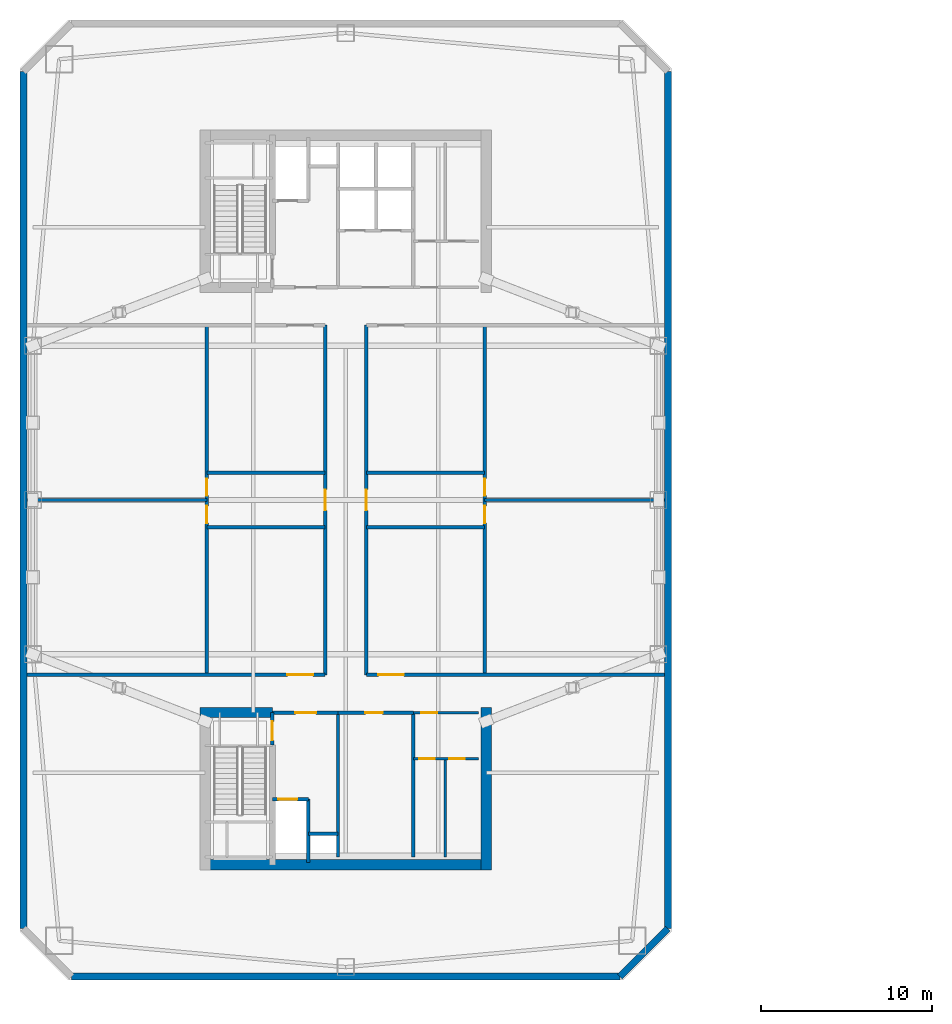
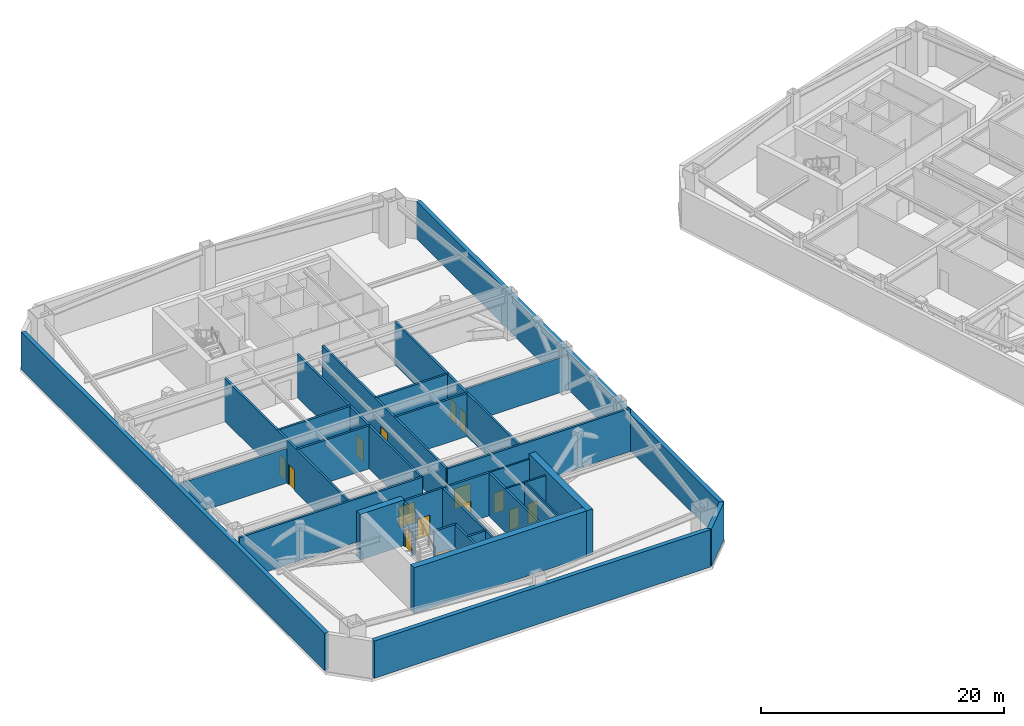
# One storey, part 7 of 14: 30 walls, 15 doors, 15 openings.
"""IFC4 building model written with IfcOpenShell, lengths in metres."""

from ifc_helpers import new_model, si_unit, direction, frame, frame_2d, origin, place, context, subcontext, project, spatial, rectangle, extrude, material, layer, layer_set, type_object, element, fill, save


model = new_model("IFC4")

# Units and contexts
model_context = context("Model", 3, precision=1e-05, world=origin(), true_north=direction((0.0, 1.0)))
body_context = subcontext(model_context, "Body", "Model", "MODEL_VIEW")
ifc_project = project(units=[si_unit("LENGTHUNIT", "METRE"), si_unit("AREAUNIT", "SQUARE_METRE"), si_unit("VOLUMEUNIT", "CUBIC_METRE"), si_unit("PLANEANGLEUNIT", "RADIAN"), si_unit("MASSUNIT", "GRAM", prefix="KILO")], contexts=[model_context])

# Site, building, storey
site_placement = place(None, origin())
site = spatial("IfcSite", under=ifc_project, at=site_placement, CompositionType="ELEMENT")
building_placement = place(site_placement, origin())
building = spatial("IfcBuilding", under=site, at=building_placement, Name="Qiaolan Cultural Towers", CompositionType="ELEMENT")
storey_placement = place(building_placement, frame((0.0, 0.0, 138.0)))
storey = spatial("IfcBuildingStorey", under=building, at=storey_placement, Name="L36", CompositionType="ELEMENT", Elevation=138.0)

# Walls
ifc_material_1 = material(Name="Concrete C55", Category="concrete")
ifc_layer_1 = layer(ifc_material_1, 0.60009765625)
ifc_layer_set_1 = layer_set([ifc_layer_1], Name="Concrete C55")
wall_type_1 = type_object("IfcWallType", Name="WL-CORE-600", PredefinedType="SHEAR", material=ifc_layer_set_1)
wall_1_placement = place(storey_placement, frame((21.5, 12.719970703125, 0.0), z_axis=(0.0, 0.0, 1.0), x_axis=(1.0, 0.0, 0.0)))
element("IfcWall", 1, at=wall_1_placement, inside=storey, type_object=wall_type_1, Name="L36 T1-CS Outer Core Shear Wall", PredefinedType="SHEAR", context=body_context, shape_type="SweptSolid", body=[
    extrude(rectangle(XDim=17.0, YDim=0.60009765625, at=frame_2d((8.5, 0.0))), origin(), (0.0, 0.0, 1.0), 4.60009765625),
])
wall_2_placement = place(storey_placement, frame((38.199951171875, 21.89990234375, 0.0), z_axis=(0.0, 0.0, 1.0), x_axis=(0.0, -1.0, 0.0)))
element("IfcWall", 2, at=wall_2_placement, inside=storey, type_object=wall_type_1, Name="L36 T1-CS East Core Shear Wall", PredefinedType="SHEAR", context=body_context, shape_type="SweptSolid", body=[
    extrude(rectangle(XDim=9.47998046875, YDim=0.60009765625, at=frame_2d((4.739990234375, 0.0))), origin(), (0.0, 0.0, 1.0), 4.60009765625),
])
wall_3_placement = place(storey_placement, frame((21.5, 21.60009765625, 0.0), z_axis=(0.0, 0.0, 1.0), x_axis=(1.0, 0.0, 0.0)))
element("IfcWall", 3, at=wall_3_placement, inside=storey, type_object=wall_type_1, Name="L36 T1-CS Stair Front Shear Wall", PredefinedType="SHEAR", context=body_context, shape_type="SweptSolid", body=[
    extrude(rectangle(XDim=4.219970703125, YDim=0.60009765625, at=frame_2d((2.10986328125, 0.0))), origin(), (0.0, 0.0, 1.0), 4.60009765625),
])
ifc_material_2 = material(Name="Precast Concrete C50 Honed Stone Pier", Category="masonry")
ifc_layer_2 = layer(ifc_material_2, 0.39990234375)
ifc_layer_set_2 = layer_set([ifc_layer_2], Name="Precast Concrete C50 Honed Stone Pier")
wall_type_2 = type_object("IfcWallType", Name="WL-EXT-PIER-400", PredefinedType="SOLIDWALL", material=ifc_layer_set_2)
for number, where, z_axis, x_axis, name in (
    (4, (11.199951171875, 9.0, 0.0), (0.0, 0.0, 1.0), (0.0, 1.0, 0.0), "L36 West Tower Precast Pier Facade Wall F1"),
    (5, (48.800048828125, 59.0, 0.0), (0.0, 0.0, 1.0), (0.0, -1.0, 0.0), "L36 West Tower Precast Pier Facade Wall F5"),
):
    element("IfcWall", number, at=place(storey_placement, frame(where, z_axis=z_axis, x_axis=x_axis)), inside=storey, type_object=wall_type_2, Name=name, PredefinedType="SOLIDWALL", context=body_context, shape_type="SweptSolid", body=[
        extrude(rectangle(XDim=50.0, YDim=0.39990234375, at=frame_2d((25.0, 0.0))), origin(), (0.0, 0.0, 1.0), 3.760009765625),
    ])
wall_4_placement = place(storey_placement, frame((48.800048828125, 9.0, 0.0), z_axis=(0.0, 0.0, 1.0), x_axis=(-0.707106781187, -0.707106781187, 0.0)))
element("IfcWall", 6, at=wall_4_placement, inside=storey, type_object=wall_type_2, Name="L36 West Tower Precast Pier Facade Wall F6", PredefinedType="SOLIDWALL", context=body_context, shape_type="SweptSolid", body=[
    extrude(rectangle(XDim=3.9599609375, YDim=0.39990234375, at=frame_2d((1.97998046875, 0.0))), origin(), (0.0, 0.0, 1.0), 3.760009765625),
])
wall_5_placement = place(storey_placement, frame((46.0, 6.199951171875, 0.0), z_axis=(0.0, 0.0, 1.0), x_axis=(-1.0, 0.0, 0.0)))
element("IfcWall", 7, at=wall_5_placement, inside=storey, type_object=wall_type_2, Name="L36 West Tower Precast Pier Facade Wall F7", PredefinedType="SOLIDWALL", context=body_context, shape_type="SweptSolid", body=[
    extrude(rectangle(XDim=32.0, YDim=0.39990234375, at=frame_2d((16.0, 0.0))), origin(), (0.0, 0.0, 1.0), 3.760009765625),
])

# Wall, opening, door
ifc_material_3 = material(Name="Concrete C35 Fire Wall", Category="concrete")
ifc_layer_3 = layer(ifc_material_3, 0.199951171875)
ifc_layer_set_3 = layer_set([ifc_layer_3], Name="Concrete C35 Fire Wall")
wall_type_3 = type_object("IfcWallType", Name="WL-FIRE-200", PredefinedType="PARTITIONING", material=ifc_layer_set_3)
wall_6_placement = place(storey_placement, frame((25.719970703125, 21.60009765625, 0.0), z_axis=(0.0, 0.0, 1.0), x_axis=(0.0, -1.0, 0.0)))
wall_6 = element("IfcWall", 8, at=wall_6_placement, inside=storey, type_object=wall_type_3, Name="L36 T1-CS Smokeproof Stair Entry Wall", PredefinedType="PARTITIONING", context=body_context, shape_type="SweptSolid", body=[
    extrude(rectangle(XDim=1.900146484375, YDim=0.199951171875, at=frame_2d((0.9501953125, 0.0))), origin(), (0.0, 0.0, 1.0), 4.324951171875),
])
opening_1_placement = place(wall_6_placement, frame((0.52001953125, 0.0, 0.0)))
opening_1 = element("IfcOpeningElement", 9, at=opening_1_placement, cuts=wall_6, Name="Opening FD-04", PredefinedType="OPENING", context=body_context, shape_type="SweptSolid", body=[
    extrude(rectangle(XDim=1.10009765625, YDim=2.050048828125, at=frame_2d((0.550048828125, 1.02490234375))), frame((0.0, 0.10986328125, 0.0), z_axis=(0.0, -1.0, 0.0), x_axis=(1.0, 0.0, 0.0)), (0.0, 0.0, 1.0), 0.219970703125),
])
ifc_material_4 = material(Name="Galvanized Steel Command Fire Door", Category="steel")
door_type_1 = type_object("IfcDoorType", Name="DR-FD90-1100", OperationType="NOTDEFINED", PredefinedType="DOOR", material=ifc_material_4)
door_1_placement = place(opening_1_placement, origin())
door_1 = element("IfcDoor", 10, at=door_1_placement, inside=storey, type_object=door_type_1, Name="L36 ST-W1 Smokeproof Stair Fire Door", OperationType="SINGLE_SWING_LEFT", OverallHeight=2.050048828125, OverallWidth=1.10009765625, PredefinedType="DOOR", context=body_context, shape_type="SweptSolid", body=[
    extrude(rectangle(XDim=1.10009765625, YDim=2.050048828125, at=frame_2d((0.550048828125, 1.02490234375))), frame((0.0, 0.02490234375, 0.0), z_axis=(0.0, -1.0, 0.0), x_axis=(1.0, 0.0, 0.0)), (0.0, 0.0, 1.0), 0.050048828125),
])
fill(opening_1, door_1)

# Wall
wall_7_placement = place(storey_placement, frame((29.550048828125, 21.60009765625, 0.0), z_axis=(0.0, 0.0, 1.0), x_axis=(0.0, -1.0, 0.0)))
element("IfcWall", 11, at=wall_7_placement, inside=storey, type_object=wall_type_3, Name="L36 T1-CS Firefighting Zone Wall", PredefinedType="PARTITIONING", context=body_context, shape_type="SweptSolid", body=[
    extrude(rectangle(XDim=8.43017578125, YDim=0.199951171875, at=frame_2d((4.215087890625, 0.0))), origin(), (0.0, 0.0, 1.0), 4.324951171875),
])

# Wall, opening, door
wall_8_placement = place(storey_placement, frame((25.719970703125, 21.60009765625, 0.0), z_axis=(0.0, 0.0, 1.0), x_axis=(1.0, 0.0, 0.0)))
wall_8 = element("IfcWall", 12, at=wall_8_placement, inside=storey, type_object=wall_type_3, Name="L36 T1-CS Firefighting Lobby Front Wall", PredefinedType="PARTITIONING", context=body_context, shape_type="SweptSolid", body=[
    extrude(rectangle(XDim=3.830078125, YDim=0.199951171875, at=frame_2d((1.9150390625, 0.0))), origin(), (0.0, 0.0, 1.0), 4.324951171875),
])
opening_2_placement = place(wall_8_placement, frame((1.35009765625, 0.0, 0.0)))
opening_2 = element("IfcOpeningElement", 13, at=opening_2_placement, cuts=wall_8, Name="Opening FD-03", PredefinedType="OPENING", context=body_context, shape_type="SweptSolid", body=[
    extrude(rectangle(XDim=1.199951171875, YDim=2.050048828125, at=frame_2d((0.60009765625, 1.02490234375))), frame((0.0, 0.10986328125, 0.0), z_axis=(0.0, -1.0, 0.0), x_axis=(1.0, 0.0, 0.0)), (0.0, 0.0, 1.0), 0.219970703125),
])
ifc_material_5 = material(Name="Galvanized Steel Smokeproof Lobby Fire Door", Category="steel")
door_type_2 = type_object("IfcDoorType", Name="DR-FD90-1200", OperationType="NOTDEFINED", PredefinedType="DOOR", material=ifc_material_5)
door_2_placement = place(opening_2_placement, origin())
door_2 = element("IfcDoor", 14, at=door_2_placement, inside=storey, type_object=door_type_2, Name="L36 FFL-W1 Firefighting Lobby Fire Door", OperationType="SINGLE_SWING_LEFT", OverallHeight=2.050048828125, OverallWidth=1.199951171875, PredefinedType="DOOR", context=body_context, shape_type="SweptSolid", body=[
    extrude(rectangle(XDim=1.199951171875, YDim=2.050048828125, at=frame_2d((0.60009765625, 1.02490234375))), frame((0.0, 0.02490234375, 0.0), z_axis=(0.0, -1.0, 0.0), x_axis=(1.0, 0.0, 0.0)), (0.0, 0.0, 1.0), 0.050048828125),
])
fill(opening_2, door_2)

wall_9_placement = place(storey_placement, frame((25.719970703125, 16.550048828125, 0.0), z_axis=(0.0, 0.0, 1.0), x_axis=(1.0, 0.0, 0.0)))
wall_9 = element("IfcWall", 15, at=wall_9_placement, inside=storey, type_object=wall_type_3, Name="L36 T1-CS Firefighting Shaft Front Wall", PredefinedType="PARTITIONING", context=body_context, shape_type="SweptSolid", body=[
    extrude(rectangle(XDim=2.10009765625, YDim=0.199951171875, at=frame_2d((1.050048828125, 0.0))), origin(), (0.0, 0.0, 1.0), 4.324951171875),
])
opening_3_placement = place(wall_9_placement, frame((0.35009765625, 0.0, 0.0)))
opening_3 = element("IfcOpeningElement", 16, at=opening_3_placement, cuts=wall_9, Name="Opening LD-01", PredefinedType="OPENING", context=body_context, shape_type="SweptSolid", body=[
    extrude(rectangle(XDim=1.10009765625, YDim=2.050048828125, at=frame_2d((0.550048828125, 1.02490234375))), frame((0.0, 0.10986328125, 0.0), z_axis=(0.0, -1.0, 0.0), x_axis=(1.0, 0.0, 0.0)), (0.0, 0.0, 1.0), 0.219970703125),
])
ifc_material_6 = material(Name="Brushed Stainless Steel S30408 Centre-Parting Lift Landing Door", Category="steel")
door_type_3 = type_object("IfcDoorType", Name="DR-LIFT-1100", OperationType="NOTDEFINED", PredefinedType="DOOR", material=ifc_material_6)
door_3_placement = place(opening_3_placement, origin())
door_3 = element("IfcDoor", 17, at=door_3_placement, inside=storey, type_object=door_type_3, Name="L36 FFL-W1 Firefighting Lift Landing Door", OperationType="DOUBLE_DOOR_SLIDING", OverallHeight=2.050048828125, OverallWidth=1.10009765625, PredefinedType="DOOR", context=body_context, shape_type="SweptSolid", body=[
    extrude(rectangle(XDim=1.10009765625, YDim=2.050048828125, at=frame_2d((0.550048828125, 1.02490234375))), frame((0.0, 0.02490234375, 0.0), z_axis=(0.0, -1.0, 0.0), x_axis=(1.0, 0.0, 0.0)), (0.0, 0.0, 1.0), 0.050048828125),
])
fill(opening_3, door_3)

# Walls
wall_10_placement = place(storey_placement, frame((27.820068359375, 16.550048828125, 0.0), z_axis=(0.0, 0.0, 1.0), x_axis=(0.0, -1.0, 0.0)))
element("IfcWall", 18, at=wall_10_placement, inside=storey, type_object=wall_type_3, Name="L36 T1-CS Firefighting Hoistway East Wall", PredefinedType="PARTITIONING", context=body_context, shape_type="SweptSolid", body=[
    extrude(rectangle(XDim=3.699951171875, YDim=0.199951171875, at=frame_2d((1.85009765625, 0.0))), origin(), (0.0, 0.0, 1.0), 4.324951171875),
])
wall_11_placement = place(storey_placement, frame((27.820068359375, 14.52001953125, 0.0), z_axis=(0.0, 0.0, 1.0), x_axis=(1.0, 0.0, 0.0)))
element("IfcWall", 19, at=wall_11_placement, inside=storey, type_object=wall_type_3, Name="L36 T1-CS Pressurization Shaft Front Wall", PredefinedType="PARTITIONING", context=body_context, shape_type="SweptSolid", body=[
    extrude(rectangle(XDim=1.72998046875, YDim=0.199951171875, at=frame_2d((0.864990234375, 0.0))), origin(), (0.0, 0.0, 1.0), 4.324951171875),
])
wall_12_placement = place(storey_placement, frame((33.949951171875, 21.60009765625, 0.0), z_axis=(0.0, 0.0, 1.0), x_axis=(0.0, -1.0, 0.0)))
element("IfcWall", 20, at=wall_12_placement, inside=storey, type_object=wall_type_3, Name="L36 T1-CS Lift Core East Wall", PredefinedType="PARTITIONING", context=body_context, shape_type="SweptSolid", body=[
    extrude(rectangle(XDim=8.43017578125, YDim=0.199951171875, at=frame_2d((4.215087890625, 0.0))), origin(), (0.0, 0.0, 1.0), 4.324951171875),
])

# Wall, opening, door
wall_13_placement = place(storey_placement, frame((29.550048828125, 21.60009765625, 0.0), z_axis=(0.0, 0.0, 1.0), x_axis=(1.0, 0.0, 0.0)))
wall_13 = element("IfcWall", 21, at=wall_13_placement, inside=storey, type_object=wall_type_3, Name="L36 T1-CS Refuge Core Riser Wall", PredefinedType="PARTITIONING", context=body_context, shape_type="SweptSolid", body=[
    extrude(rectangle(XDim=4.39990234375, YDim=0.199951171875, at=frame_2d((2.199951171875, 0.0))), origin(), (0.0, 0.0, 1.0), 4.324951171875),
])
opening_4_placement = place(wall_13_placement, frame((1.60009765625, 0.0, 0.0)))
opening_4 = element("IfcOpeningElement", 22, at=opening_4_placement, cuts=wall_13, Name="Opening FD-07", PredefinedType="OPENING", context=body_context, shape_type="SweptSolid", body=[
    extrude(rectangle(XDim=1.0, YDim=2.050048828125, at=frame_2d((0.5, 1.02490234375))), frame((0.0, 0.10986328125, 0.0), z_axis=(0.0, -1.0, 0.0), x_axis=(1.0, 0.0, 0.0)), (0.0, 0.0, 1.0), 0.219970703125),
])
ifc_material_7 = material(Name="Painted Steel Riser Fire Door", Category="steel")
door_type_4 = type_object("IfcDoorType", Name="DR-FD60-1000", OperationType="NOTDEFINED", PredefinedType="DOOR", material=ifc_material_7)
door_4_placement = place(opening_4_placement, origin())
door_4 = element("IfcDoor", 23, at=door_4_placement, inside=storey, type_object=door_type_4, Name="L36 Core Plant Room Door", OperationType="SINGLE_SWING_LEFT", OverallHeight=2.050048828125, OverallWidth=1.0, PredefinedType="DOOR", context=body_context, shape_type="SweptSolid", body=[
    extrude(rectangle(XDim=1.0, YDim=2.050048828125, at=frame_2d((0.5, 1.02490234375))), frame((0.0, 0.02490234375, 0.0), z_axis=(0.0, -1.0, 0.0), x_axis=(1.0, 0.0, 0.0)), (0.0, 0.0, 1.0), 0.050048828125),
])
fill(opening_4, door_4)

wall_14_placement = place(storey_placement, frame((11.39990234375, 23.800048828125, 0.0), z_axis=(0.0, 0.0, 1.0), x_axis=(1.0, 0.0, 0.0)))
wall_14 = element("IfcWall", 24, at=wall_14_placement, inside=storey, type_object=wall_type_3, Name="L36 T1 Fire Rated Plant/Refuge Wall SBW", PredefinedType="PARTITIONING", context=body_context, shape_type="SweptSolid", body=[
    extrude(rectangle(XDim=17.400146484375, YDim=0.199951171875, at=frame_2d((8.7001953125, 0.0))), origin(), (0.0, 0.0, 1.0), 4.324951171875),
])
opening_5_placement = place(wall_14_placement, frame((15.199951171875, 0.0, 0.0)))
opening_5 = element("IfcOpeningElement", 25, at=opening_5_placement, cuts=wall_14, Name="Opening FD-02", PredefinedType="OPENING", context=body_context, shape_type="SweptSolid", body=[
    extrude(rectangle(XDim=1.5, YDim=2.050048828125, at=frame_2d((0.75, 1.02490234375))), frame((0.0, 0.10986328125, 0.0), z_axis=(0.0, -1.0, 0.0), x_axis=(1.0, 0.0, 0.0)), (0.0, 0.0, 1.0), 0.219970703125),
])
ifc_material_8 = material(Name="Galvanized Steel Double Fire Door", Category="steel")
door_type_5 = type_object("IfcDoorType", Name="DR-FD90-1500", OperationType="NOTDEFINED", PredefinedType="DOOR", material=ifc_material_8)
door_5_placement = place(opening_5_placement, origin())
door_5 = element("IfcDoor", 26, at=door_5_placement, inside=storey, type_object=door_type_5, Name="L36 T1 West South Refuge Fire Door", OperationType="SINGLE_SWING_LEFT", OverallHeight=2.050048828125, OverallWidth=1.5, PredefinedType="DOOR", context=body_context, shape_type="SweptSolid", body=[
    extrude(rectangle(XDim=1.5, YDim=2.050048828125, at=frame_2d((0.75, 1.02490234375))), frame((0.0, 0.02490234375, 0.0), z_axis=(0.0, -1.0, 0.0), x_axis=(1.0, 0.0, 0.0)), (0.0, 0.0, 1.0), 0.050048828125),
])
fill(opening_5, door_5)

wall_15_placement = place(storey_placement, frame((31.199951171875, 23.800048828125, 0.0), z_axis=(0.0, 0.0, 1.0), x_axis=(1.0, 0.0, 0.0)))
wall_15 = element("IfcWall", 27, at=wall_15_placement, inside=storey, type_object=wall_type_3, Name="L36 T1 Fire Rated Plant/Refuge Wall SBE", PredefinedType="PARTITIONING", context=body_context, shape_type="SweptSolid", body=[
    extrude(rectangle(XDim=17.400146484375, YDim=0.199951171875, at=frame_2d((8.7001953125, 0.0))), origin(), (0.0, 0.0, 1.0), 4.324951171875),
])
opening_6_placement = place(wall_15_placement, frame((0.699951171875, 0.0, 0.0)))
opening_6 = element("IfcOpeningElement", 28, at=opening_6_placement, cuts=wall_15, Name="Opening FD-02", PredefinedType="OPENING", context=body_context, shape_type="SweptSolid", body=[
    extrude(rectangle(XDim=1.5, YDim=2.050048828125, at=frame_2d((0.75, 1.02490234375))), frame((0.0, 0.10986328125, 0.0), z_axis=(0.0, -1.0, 0.0), x_axis=(1.0, 0.0, 0.0)), (0.0, 0.0, 1.0), 0.219970703125),
])
door_6_placement = place(opening_6_placement, origin())
door_6 = element("IfcDoor", 29, at=door_6_placement, inside=storey, type_object=door_type_5, Name="L36 T1 East South Refuge Fire Door", OperationType="SINGLE_SWING_RIGHT", OverallHeight=2.050048828125, OverallWidth=1.5, PredefinedType="DOOR", context=body_context, shape_type="SweptSolid", body=[
    extrude(rectangle(XDim=1.5, YDim=2.050048828125, at=frame_2d((0.75, 1.02490234375))), frame((0.0, 0.02490234375, 0.0), z_axis=(0.0, -1.0, 0.0), x_axis=(1.0, 0.0, 0.0)), (0.0, 0.0, 1.0), 0.050048828125),
])
fill(opening_6, door_6)

wall_16_placement = place(storey_placement, frame((28.800048828125, 23.800048828125, 0.0), z_axis=(0.0, 0.0, 1.0), x_axis=(0.0, 1.0, 0.0)))
wall_16 = element("IfcWall", 30, at=wall_16_placement, inside=storey, type_object=wall_type_3, Name="L36 T1 Fire Rated Plant/Refuge Wall CL", PredefinedType="PARTITIONING", context=body_context, shape_type="SweptSolid", body=[
    extrude(rectangle(XDim=20.39990234375, YDim=0.199951171875, at=frame_2d((10.199951171875, 0.0))), origin(), (0.0, 0.0, 1.0), 4.324951171875),
])
opening_7_placement = place(wall_16_placement, frame((9.60009765625, 0.0, 0.0)))
opening_7 = element("IfcOpeningElement", 31, at=opening_7_placement, cuts=wall_16, Name="Opening FD-03", PredefinedType="OPENING", context=body_context, shape_type="SweptSolid", body=[
    extrude(rectangle(XDim=1.199951171875, YDim=2.050048828125, at=frame_2d((0.60009765625, 1.02490234375))), frame((0.0, 0.10986328125, 0.0), z_axis=(0.0, -1.0, 0.0), x_axis=(1.0, 0.0, 0.0)), (0.0, 0.0, 1.0), 0.219970703125),
])
door_7_placement = place(opening_7_placement, origin())
door_7 = element("IfcDoor", 32, at=door_7_placement, inside=storey, type_object=door_type_2, Name="L36 T1 West Plant Passage Door", OperationType="SINGLE_SWING_LEFT", OverallHeight=2.050048828125, OverallWidth=1.199951171875, PredefinedType="DOOR", context=body_context, shape_type="SweptSolid", body=[
    extrude(rectangle(XDim=1.199951171875, YDim=2.050048828125, at=frame_2d((0.60009765625, 1.02490234375))), frame((0.0, 0.02490234375, 0.0), z_axis=(0.0, -1.0, 0.0), x_axis=(1.0, 0.0, 0.0)), (0.0, 0.0, 1.0), 0.050048828125),
])
fill(opening_7, door_7)

wall_17_placement = place(storey_placement, frame((31.199951171875, 23.800048828125, 0.0), z_axis=(0.0, 0.0, 1.0), x_axis=(0.0, 1.0, 0.0)))
wall_17 = element("IfcWall", 33, at=wall_17_placement, inside=storey, type_object=wall_type_3, Name="L36 T1 Fire Rated Plant/Refuge Wall CR", PredefinedType="PARTITIONING", context=body_context, shape_type="SweptSolid", body=[
    extrude(rectangle(XDim=20.39990234375, YDim=0.199951171875, at=frame_2d((10.199951171875, 0.0))), origin(), (0.0, 0.0, 1.0), 4.324951171875),
])
opening_8_placement = place(wall_17_placement, frame((9.60009765625, 0.0, 0.0)))
opening_8 = element("IfcOpeningElement", 34, at=opening_8_placement, cuts=wall_17, Name="Opening FD-03", PredefinedType="OPENING", context=body_context, shape_type="SweptSolid", body=[
    extrude(rectangle(XDim=1.199951171875, YDim=2.050048828125, at=frame_2d((0.60009765625, 1.02490234375))), frame((0.0, 0.10986328125, 0.0), z_axis=(0.0, -1.0, 0.0), x_axis=(1.0, 0.0, 0.0)), (0.0, 0.0, 1.0), 0.219970703125),
])
door_8_placement = place(opening_8_placement, origin())
door_8 = element("IfcDoor", 35, at=door_8_placement, inside=storey, type_object=door_type_2, Name="L36 T1 East Plant Passage Door", OperationType="SINGLE_SWING_RIGHT", OverallHeight=2.050048828125, OverallWidth=1.199951171875, PredefinedType="DOOR", context=body_context, shape_type="SweptSolid", body=[
    extrude(rectangle(XDim=1.199951171875, YDim=2.050048828125, at=frame_2d((0.60009765625, 1.02490234375))), frame((0.0, 0.02490234375, 0.0), z_axis=(0.0, -1.0, 0.0), x_axis=(1.0, 0.0, 0.0)), (0.0, 0.0, 1.0), 0.050048828125),
])
fill(opening_8, door_8)

# Wall, openings, doors
wall_18_placement = place(storey_placement, frame((21.89990234375, 23.800048828125, 0.0), z_axis=(0.0, 0.0, 1.0), x_axis=(0.0, 1.0, 0.0)))
wall_18 = element("IfcWall", 36, at=wall_18_placement, inside=storey, type_object=wall_type_3, Name="L36 T1 Fire Rated Plant/Refuge Wall WL", PredefinedType="PARTITIONING", context=body_context, shape_type="SweptSolid", body=[
    extrude(rectangle(XDim=20.39990234375, YDim=0.199951171875, at=frame_2d((10.199951171875, 0.0))), origin(), (0.0, 0.0, 1.0), 4.324951171875),
])
opening_9_placement = place(wall_18_placement, frame((8.85009765625, 0.0, 0.0)))
opening_9 = element("IfcOpeningElement", 37, at=opening_9_placement, cuts=wall_18, Name="Opening FD-07", PredefinedType="OPENING", context=body_context, shape_type="SweptSolid", body=[
    extrude(rectangle(XDim=1.0, YDim=2.050048828125, at=frame_2d((0.5, 1.02490234375))), frame((0.0, 0.10986328125, 0.0), z_axis=(0.0, -1.0, 0.0), x_axis=(1.0, 0.0, 0.0)), (0.0, 0.0, 1.0), 0.219970703125),
])
opening_10_placement = place(wall_18_placement, frame((10.449951171875, 0.0, 0.0)))
opening_10 = element("IfcOpeningElement", 38, at=opening_10_placement, cuts=wall_18, Name="Opening FD-07", PredefinedType="OPENING", context=body_context, shape_type="SweptSolid", body=[
    extrude(rectangle(XDim=1.0, YDim=2.050048828125, at=frame_2d((0.5, 1.02490234375))), frame((0.0, 0.10986328125, 0.0), z_axis=(0.0, -1.0, 0.0), x_axis=(1.0, 0.0, 0.0)), (0.0, 0.0, 1.0), 0.219970703125),
])
door_9_placement = place(opening_9_placement, origin())
door_9 = element("IfcDoor", 39, at=door_9_placement, inside=storey, type_object=door_type_4, Name="L36 T1 West Chiller Plant Door", OperationType="SINGLE_SWING_LEFT", OverallHeight=2.050048828125, OverallWidth=1.0, PredefinedType="DOOR", context=body_context, shape_type="SweptSolid", body=[
    extrude(rectangle(XDim=1.0, YDim=2.050048828125, at=frame_2d((0.5, 1.02490234375))), frame((0.0, 0.02490234375, 0.0), z_axis=(0.0, -1.0, 0.0), x_axis=(1.0, 0.0, 0.0)), (0.0, 0.0, 1.0), 0.050048828125),
])
fill(opening_9, door_9)
door_10_placement = place(opening_10_placement, origin())
door_10 = element("IfcDoor", 40, at=door_10_placement, inside=storey, type_object=door_type_4, Name="L36 T1 West Fire Water Pump Plant Door", OperationType="SINGLE_SWING_RIGHT", OverallHeight=2.050048828125, OverallWidth=1.0, PredefinedType="DOOR", context=body_context, shape_type="SweptSolid", body=[
    extrude(rectangle(XDim=1.0, YDim=2.050048828125, at=frame_2d((0.5, 1.02490234375))), frame((0.0, 0.02490234375, 0.0), z_axis=(0.0, -1.0, 0.0), x_axis=(1.0, 0.0, 0.0)), (0.0, 0.0, 1.0), 0.050048828125),
])
fill(opening_10, door_10)

wall_19_placement = place(storey_placement, frame((38.10009765625, 23.800048828125, 0.0), z_axis=(0.0, 0.0, 1.0), x_axis=(0.0, 1.0, 0.0)))
wall_19 = element("IfcWall", 41, at=wall_19_placement, inside=storey, type_object=wall_type_3, Name="L36 T1 Fire Rated Plant/Refuge Wall ER", PredefinedType="PARTITIONING", context=body_context, shape_type="SweptSolid", body=[
    extrude(rectangle(XDim=20.39990234375, YDim=0.199951171875, at=frame_2d((10.199951171875, 0.0))), origin(), (0.0, 0.0, 1.0), 4.324951171875),
])
opening_11_placement = place(wall_19_placement, frame((8.85009765625, 0.0, 0.0)))
opening_11 = element("IfcOpeningElement", 42, at=opening_11_placement, cuts=wall_19, Name="Opening FD-07", PredefinedType="OPENING", context=body_context, shape_type="SweptSolid", body=[
    extrude(rectangle(XDim=1.0, YDim=2.050048828125, at=frame_2d((0.5, 1.02490234375))), frame((0.0, 0.10986328125, 0.0), z_axis=(0.0, -1.0, 0.0), x_axis=(1.0, 0.0, 0.0)), (0.0, 0.0, 1.0), 0.219970703125),
])
opening_12_placement = place(wall_19_placement, frame((10.449951171875, 0.0, 0.0)))
opening_12 = element("IfcOpeningElement", 43, at=opening_12_placement, cuts=wall_19, Name="Opening FD-07", PredefinedType="OPENING", context=body_context, shape_type="SweptSolid", body=[
    extrude(rectangle(XDim=1.0, YDim=2.050048828125, at=frame_2d((0.5, 1.02490234375))), frame((0.0, 0.10986328125, 0.0), z_axis=(0.0, -1.0, 0.0), x_axis=(1.0, 0.0, 0.0)), (0.0, 0.0, 1.0), 0.219970703125),
])
door_11_placement = place(opening_11_placement, origin())
door_11 = element("IfcDoor", 44, at=door_11_placement, inside=storey, type_object=door_type_4, Name="L36 T1 East AHU Plant Door", OperationType="SINGLE_SWING_LEFT", OverallHeight=2.050048828125, OverallWidth=1.0, PredefinedType="DOOR", context=body_context, shape_type="SweptSolid", body=[
    extrude(rectangle(XDim=1.0, YDim=2.050048828125, at=frame_2d((0.5, 1.02490234375))), frame((0.0, 0.02490234375, 0.0), z_axis=(0.0, -1.0, 0.0), x_axis=(1.0, 0.0, 0.0)), (0.0, 0.0, 1.0), 0.050048828125),
])
fill(opening_11, door_11)
door_12_placement = place(opening_12_placement, origin())
door_12 = element("IfcDoor", 45, at=door_12_placement, inside=storey, type_object=door_type_4, Name="L36 T1 East Electrical Substation Door", OperationType="SINGLE_SWING_RIGHT", OverallHeight=2.050048828125, OverallWidth=1.0, PredefinedType="DOOR", context=body_context, shape_type="SweptSolid", body=[
    extrude(rectangle(XDim=1.0, YDim=2.050048828125, at=frame_2d((0.5, 1.02490234375))), frame((0.0, 0.02490234375, 0.0), z_axis=(0.0, -1.0, 0.0), x_axis=(1.0, 0.0, 0.0)), (0.0, 0.0, 1.0), 0.050048828125),
])
fill(opening_12, door_12)

# Walls
for number, where, z_axis, x_axis, name in (
    (46, (11.39990234375, 34.0, 0.0), (0.0, 0.0, 1.0), (1.0, 0.0, 0.0), "L36 T1 Fire Rated Plant/Refuge Wall WMID"),
    (47, (38.10009765625, 34.0, 0.0), (0.0, 0.0, 1.0), (1.0, 0.0, 0.0), "L36 T1 Fire Rated Plant/Refuge Wall EMID"),
):
    element("IfcWall", number, at=place(storey_placement, frame(where, z_axis=z_axis, x_axis=x_axis)), inside=storey, type_object=wall_type_3, Name=name, PredefinedType="PARTITIONING", context=body_context, shape_type="SweptSolid", body=[
        extrude(rectangle(XDim=10.5, YDim=0.199951171875, at=frame_2d((5.25, 0.0))), origin(), (0.0, 0.0, 1.0), 3.514892578125),
    ])
for number, where, z_axis, x_axis, name in (
    (48, (21.89990234375, 32.39990234375, 0.0), (0.0, 0.0, 1.0), (1.0, 0.0, 0.0), "L36 T1 Fire Rated Plant/Refuge Wall SVS-WL"),
    (49, (21.89990234375, 35.60009765625, 0.0), (0.0, 0.0, 1.0), (1.0, 0.0, 0.0), "L36 T1 Fire Rated Plant/Refuge Wall SVS-NL"),
    (50, (31.199951171875, 32.39990234375, 0.0), (0.0, 0.0, 1.0), (1.0, 0.0, 0.0), "L36 T1 Fire Rated Plant/Refuge Wall SVS-WR"),
    (51, (31.199951171875, 35.60009765625, 0.0), (0.0, 0.0, 1.0), (1.0, 0.0, 0.0), "L36 T1 Fire Rated Plant/Refuge Wall SVS-NR"),
):
    element("IfcWall", number, at=place(storey_placement, frame(where, z_axis=z_axis, x_axis=x_axis)), inside=storey, type_object=wall_type_3, Name=name, PredefinedType="PARTITIONING", context=body_context, shape_type="SweptSolid", body=[
        extrude(rectangle(XDim=6.900146484375, YDim=0.199951171875, at=frame_2d((3.4501953125, 0.0))), origin(), (0.0, 0.0, 1.0), 4.324951171875),
    ])

# Wall, opening, door
ifc_material_9 = material(Name="Autoclaved Aerated Concrete Block B06", Category="concrete")
ifc_layer_4 = layer(ifc_material_9, 0.14990234375)
ifc_layer_set_4 = layer_set([ifc_layer_4], Name="Autoclaved Aerated Concrete Block B06")
wall_type_4 = type_object("IfcWallType", Name="WL-PART-150", PredefinedType="PARTITIONING", material=ifc_layer_set_4)
wall_20_placement = place(storey_placement, frame((33.949951171875, 21.60009765625, 0.0), z_axis=(0.0, 0.0, 1.0), x_axis=(1.0, 0.0, 0.0)))
wall_20 = element("IfcWall", 52, at=wall_20_placement, inside=storey, type_object=wall_type_4, Name="L36 T1-CS Sanitary Core Front Wall", PredefinedType="PARTITIONING", context=body_context, shape_type="SweptSolid", body=[
    extrude(rectangle(XDim=3.800048828125, YDim=0.14990234375, at=frame_2d((1.89990234375, 0.0))), origin(), (0.0, 0.0, 1.0), 4.324951171875),
])
opening_13_placement = place(wall_20_placement, frame((0.449951171875, 0.0, 0.0)))
opening_13 = element("IfcOpeningElement", 53, at=opening_13_placement, cuts=wall_20, Name="Opening ID-05", PredefinedType="OPENING", context=body_context, shape_type="SweptSolid", body=[
    extrude(rectangle(XDim=0.949951171875, YDim=2.050048828125, at=frame_2d((0.47509765625, 1.02490234375))), frame((0.0, 0.0849609375, 0.0), z_axis=(0.0, -1.0, 0.0), x_axis=(1.0, 0.0, 0.0)), (0.0, 0.0, 1.0), 0.169921875),
])
ifc_material_10 = material(Name="Fire-Rated Laminate Accessible Core Door", Category="timber")
door_type_6 = type_object("IfcDoorType", Name="DR-INT-950", OperationType="NOTDEFINED", PredefinedType="DOOR", material=ifc_material_10)
door_13_placement = place(opening_13_placement, origin())
door_13 = element("IfcDoor", 54, at=door_13_placement, inside=storey, type_object=door_type_6, Name="L36 Sanitary Vestibule Door", OperationType="SINGLE_SWING_LEFT", OverallHeight=2.050048828125, OverallWidth=0.949951171875, PredefinedType="DOOR", context=body_context, shape_type="SweptSolid", body=[
    extrude(rectangle(XDim=0.949951171875, YDim=2.050048828125, at=frame_2d((0.47509765625, 1.02490234375))), frame((0.0, 0.02490234375, 0.0), z_axis=(0.0, -1.0, 0.0), x_axis=(1.0, 0.0, 0.0)), (0.0, 0.0, 1.0), 0.050048828125),
])
fill(opening_13, door_13)

# Wall, openings, doors
wall_21_placement = place(storey_placement, frame((33.949951171875, 18.89990234375, 0.0), z_axis=(0.0, 0.0, 1.0), x_axis=(1.0, 0.0, 0.0)))
wall_21 = element("IfcWall", 55, at=wall_21_placement, inside=storey, type_object=wall_type_4, Name="L36 T1-CS Restroom Vestibule Wall", PredefinedType="PARTITIONING", context=body_context, shape_type="SweptSolid", body=[
    extrude(rectangle(XDim=3.800048828125, YDim=0.14990234375, at=frame_2d((1.89990234375, 0.0))), origin(), (0.0, 0.0, 1.0), 4.324951171875),
])
opening_14_placement = place(wall_21_placement, frame((0.35009765625, 0.0, 0.0)))
opening_14 = element("IfcOpeningElement", 56, at=opening_14_placement, cuts=wall_21, Name="Opening ID-06", PredefinedType="OPENING", context=body_context, shape_type="SweptSolid", body=[
    extrude(rectangle(XDim=0.89990234375, YDim=2.050048828125, at=frame_2d((0.449951171875, 1.02490234375))), frame((0.0, 0.0849609375, 0.0), z_axis=(0.0, -1.0, 0.0), x_axis=(1.0, 0.0, 0.0)), (0.0, 0.0, 1.0), 0.169921875),
])
opening_15_placement = place(wall_21_placement, frame((2.10009765625, 0.0, 0.0)))
opening_15 = element("IfcOpeningElement", 57, at=opening_15_placement, cuts=wall_21, Name="Opening ID-06", PredefinedType="OPENING", context=body_context, shape_type="SweptSolid", body=[
    extrude(rectangle(XDim=0.89990234375, YDim=2.050048828125, at=frame_2d((0.449951171875, 1.02490234375))), frame((0.0, 0.0849609375, 0.0), z_axis=(0.0, -1.0, 0.0), x_axis=(1.0, 0.0, 0.0)), (0.0, 0.0, 1.0), 0.169921875),
])
ifc_material_11 = material(Name="Fire-Rated Laminate Core Service Door", Category="timber")
door_type_7 = type_object("IfcDoorType", Name="DR-INT-900", OperationType="NOTDEFINED", PredefinedType="DOOR", material=ifc_material_11)
door_14_placement = place(opening_14_placement, origin())
door_14 = element("IfcDoor", 58, at=door_14_placement, inside=storey, type_object=door_type_7, Name="L36 Men Restroom Door", OperationType="SINGLE_SWING_LEFT", OverallHeight=2.050048828125, OverallWidth=0.89990234375, PredefinedType="DOOR", context=body_context, shape_type="SweptSolid", body=[
    extrude(rectangle(XDim=0.89990234375, YDim=2.050048828125, at=frame_2d((0.449951171875, 1.02490234375))), frame((0.0, 0.02490234375, 0.0), z_axis=(0.0, -1.0, 0.0), x_axis=(1.0, 0.0, 0.0)), (0.0, 0.0, 1.0), 0.050048828125),
])
fill(opening_14, door_14)
door_15_placement = place(opening_15_placement, origin())
door_15 = element("IfcDoor", 59, at=door_15_placement, inside=storey, type_object=door_type_7, Name="L36 Accessible & Women Restroom Door", OperationType="SINGLE_SWING_RIGHT", OverallHeight=2.050048828125, OverallWidth=0.89990234375, PredefinedType="DOOR", context=body_context, shape_type="SweptSolid", body=[
    extrude(rectangle(XDim=0.89990234375, YDim=2.050048828125, at=frame_2d((0.449951171875, 1.02490234375))), frame((0.0, 0.02490234375, 0.0), z_axis=(0.0, -1.0, 0.0), x_axis=(1.0, 0.0, 0.0)), (0.0, 0.0, 1.0), 0.050048828125),
])
fill(opening_15, door_15)

# Wall
wall_22_placement = place(storey_placement, frame((35.800048828125, 18.89990234375, 0.0), z_axis=(0.0, 0.0, 1.0), x_axis=(0.0, -1.0, 0.0)))
element("IfcWall", 60, at=wall_22_placement, inside=storey, type_object=wall_type_4, Name="L36 T1-CS Restroom Divider Wall", PredefinedType="PARTITIONING", context=body_context, shape_type="SweptSolid", body=[
    extrude(rectangle(XDim=5.72998046875, YDim=0.14990234375, at=frame_2d((2.864990234375, 0.0))), origin(), (0.0, 0.0, 1.0), 4.324951171875),
])

save(model, "model.ifc")
